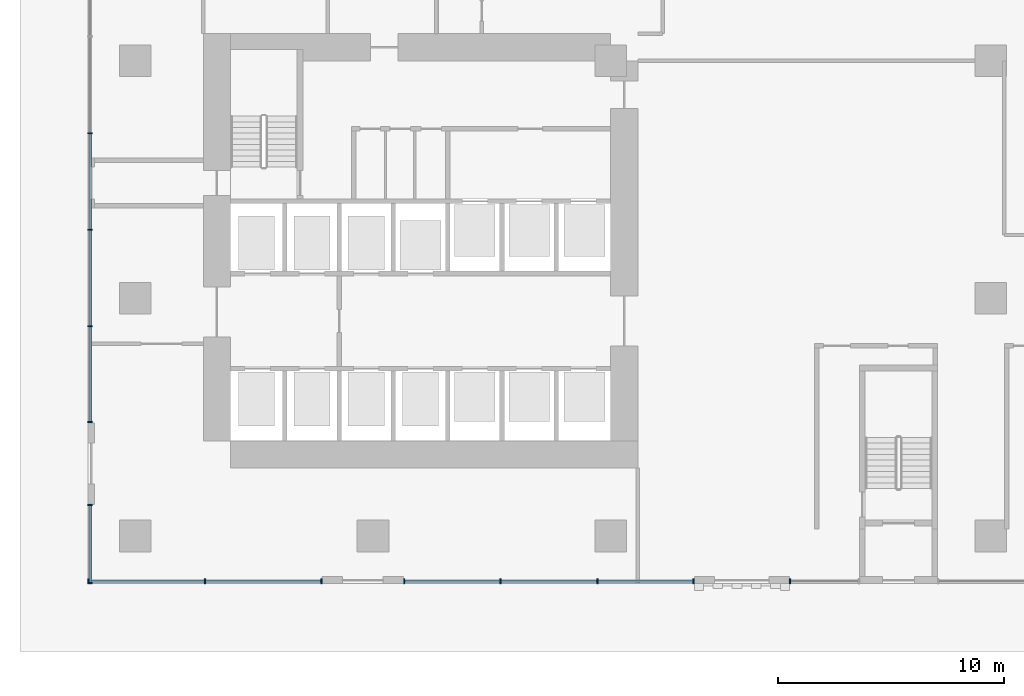
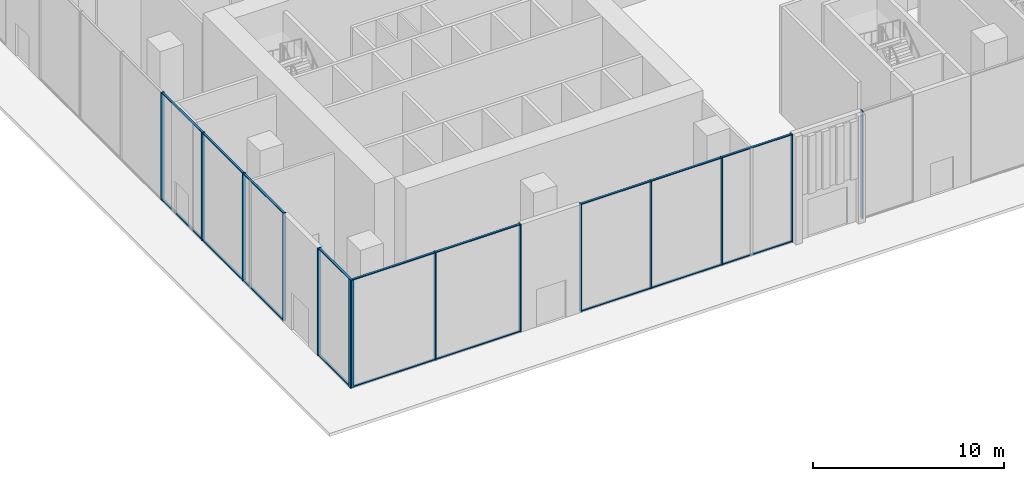
# One storey, part 2 of 26: 32 members, 5 elements without a shape of their own.
"""IFC4 building model written with IfcOpenShell, lengths in metres."""

from ifc_helpers import new_model, si_unit, direction, frame, origin, origin_2d, place, context, subcontext, project, spatial, rectangle, extrude, source, transform, mapped, material, layer, layer_set, material_profile, profile_set, type_object, element, aggregate, save


model = new_model("IFC4")

# Units and contexts
model_context = context("Model", 3, precision=1e-05, world=origin(), true_north=direction((0.0, 1.0)))
body_context = subcontext(model_context, "Body", "Model", "MODEL_VIEW")
ifc_project = project(units=[si_unit("LENGTHUNIT", "METRE"), si_unit("AREAUNIT", "SQUARE_METRE"), si_unit("VOLUMEUNIT", "CUBIC_METRE"), si_unit("PLANEANGLEUNIT", "RADIAN"), si_unit("MASSUNIT", "GRAM", prefix="KILO")], contexts=[model_context])

# Site, building, storey
site_placement = place(None, origin())
site = spatial("IfcSite", under=ifc_project, at=site_placement, CompositionType="ELEMENT")
building_placement = place(site_placement, origin())
building = spatial("IfcBuilding", under=site, at=building_placement, Name="Aurelian Terraces", CompositionType="ELEMENT")
storey_placement = place(building_placement, origin())
storey = spatial("IfcBuildingStorey", under=building, at=storey_placement, Name="L00", CompositionType="ELEMENT", Elevation=0.0)

# Curtain wall, members
ifc_material_1 = material(Name="Anodised aluminium and clear glazing", Category="aluminium")
ifc_layer = layer(ifc_material_1, 0.2)
ifc_layer_set = layer_set([ifc_layer], Name="Podium shopfront curtain wall")
curtain_wall_type = type_object("IfcCurtainWallType", Name="Podium shopfront curtain wall", PredefinedType="NOTDEFINED", material=ifc_layer_set)
curtain_wall_1_placement = place(storey_placement, origin())
curtain_wall_1 = element("IfcCurtainWall", 1, at=curtain_wall_1_placement, inside=storey, type_object=curtain_wall_type, Name="Podium shopfront L00 F01.1", PredefinedType="NOTDEFINED")
ifc_material_2 = material(Name="Anodised aluminium", Category="aluminium")
ifc_material_profile_1 = material_profile(ifc_material_2, rectangle(XDim=0.2, YDim=0.06, at=origin_2d()))
ifc_profile_set_1 = profile_set([ifc_material_profile_1], Name="Anodised aluminium")
member_type_1 = type_object("IfcMemberType", Name="Podium shopfront mullion", PredefinedType="MULLION", material=ifc_profile_set_1)
member_1_placement = place(storey_placement, frame((-2.07, -2.0, 0.0), z_axis=(0.0, 0.0, 1.0), x_axis=(0.0, 1.0, 0.0)))
member_1 = element("IfcMember", 2, at=member_1_placement, type_object=member_type_1, Name="CW1 mullion 1", PredefinedType="MULLION", context=body_context, shape_type="SweptSolid", body=[
    extrude(rectangle(XDim=0.2, YDim=0.06, at=origin_2d()), origin(), (0.0, 0.0, 1.0), 6.9),
])
ifc_material_profile_2 = material_profile(ifc_material_2, rectangle(XDim=0.12, YDim=0.06, at=origin_2d()))
ifc_profile_set_2 = profile_set([ifc_material_profile_2], Name="Anodised aluminium")
member_type_2 = type_object("IfcMemberType", Name="Podium shopfront transom", PredefinedType="USERDEFINED", material=ifc_profile_set_2)
member_2_placement = place(storey_placement, frame((-2.04, -2.0, 0.03), z_axis=(1.0, 0.0, 0.0), x_axis=(0.0, 1.0, 0.0)))
member_2 = element("IfcMember", 3, at=member_2_placement, type_object=member_type_2, Name="CW1 transom 1.1", ObjectType="TRANSOM", PredefinedType="USERDEFINED", context=body_context, shape_type="SweptSolid", body=[
    extrude(rectangle(XDim=0.12, YDim=0.06, at=origin_2d()), origin(), (0.0, 0.0, 1.0), 5.085),
])

curtain_wall_2_placement = place(storey_placement, origin())
curtain_wall_2 = element("IfcCurtainWall", 4, at=curtain_wall_2_placement, inside=storey, type_object=curtain_wall_type, Name="Podium shopfront L00 F01.3", PredefinedType="NOTDEFINED")
member_3_placement = place(storey_placement, frame((11.91, -2.0, 0.03), z_axis=(1.0, 0.0, 0.0), x_axis=(0.0, 1.0, 0.0)))
member_3 = element("IfcMember", 5, at=member_3_placement, type_object=member_type_2, Name="CW1 transom 1.1", ObjectType="TRANSOM", PredefinedType="USERDEFINED", context=body_context, shape_type="SweptSolid", body=[
    extrude(rectangle(XDim=0.12, YDim=0.06, at=origin_2d()), origin(), (0.0, 0.0, 1.0), 4.1933),
])
member_4_placement = place(storey_placement, frame((16.1633, -2.0, 0.03), z_axis=(1.0, 0.0, 0.0), x_axis=(0.0, 1.0, 0.0)))
member_4 = element("IfcMember", 6, at=member_4_placement, type_object=member_type_2, Name="CW1 transom 2.1", ObjectType="TRANSOM", PredefinedType="USERDEFINED", context=body_context, shape_type="SweptSolid", body=[
    extrude(rectangle(XDim=0.12, YDim=0.06, at=origin_2d()), origin(), (0.0, 0.0, 1.0), 4.2234),
])

# Member
shared_shape_1 = source(origin(), body_context, "Body", "SweptSolid", [
    extrude(rectangle(XDim=0.2, YDim=0.06, at=origin_2d()), origin(), (0.0, 0.0, 1.0), 6.9),
])
member_5_placement = place(storey_placement, frame((3.075, -2.0, 0.0), z_axis=(0.0, 0.0, 1.0), x_axis=(0.0, 1.0, 0.0)))
member_5 = element("IfcMember", 7, at=member_5_placement, type_object=member_type_1, Name="CW1 mullion 2", PredefinedType="MULLION", context=body_context, shape_type="MappedRepresentation", body=[
    mapped(shared_shape_1, transform((0.0, 0.0, 0.0), scale=1.0)),
])

member_6_placement = place(storey_placement, frame((8.22, -2.0, 0.0), z_axis=(0.0, 0.0, 1.0), x_axis=(0.0, 1.0, 0.0)))
member_6 = element("IfcMember", 8, at=member_6_placement, type_object=member_type_1, Name="CW1 mullion 3", PredefinedType="MULLION", context=body_context, shape_type="MappedRepresentation", body=[
    mapped(shared_shape_1, transform((0.0, 0.0, 0.0), scale=1.0)),
])

member_7_placement = place(storey_placement, frame((11.88, -2.0, 0.0), z_axis=(0.0, 0.0, 1.0), x_axis=(0.0, 1.0, 0.0)))
member_7 = element("IfcMember", 9, at=member_7_placement, type_object=member_type_1, Name="CW1 mullion 1", PredefinedType="MULLION", context=body_context, shape_type="MappedRepresentation", body=[
    mapped(shared_shape_1, transform((0.0, 0.0, 0.0), scale=1.0)),
])

member_8_placement = place(storey_placement, frame((16.1333, -2.0, 0.0), z_axis=(0.0, 0.0, 1.0), x_axis=(0.0, 1.0, 0.0)))
member_8 = element("IfcMember", 10, at=member_8_placement, type_object=member_type_1, Name="CW1 mullion 2", PredefinedType="MULLION", context=body_context, shape_type="MappedRepresentation", body=[
    mapped(shared_shape_1, transform((0.0, 0.0, 0.0), scale=1.0)),
])

member_9_placement = place(storey_placement, frame((20.4167, -2.0, 0.0), z_axis=(0.0, 0.0, 1.0), x_axis=(0.0, 1.0, 0.0)))
member_9 = element("IfcMember", 11, at=member_9_placement, type_object=member_type_1, Name="CW1 mullion 3", PredefinedType="MULLION", context=body_context, shape_type="MappedRepresentation", body=[
    mapped(shared_shape_1, transform((0.0, 0.0, 0.0), scale=1.0)),
])

member_10_placement = place(storey_placement, frame((24.67, -2.0, 0.0), z_axis=(0.0, 0.0, 1.0), x_axis=(0.0, 1.0, 0.0)))
member_10 = element("IfcMember", 12, at=member_10_placement, type_object=member_type_1, Name="CW1 mullion 4", PredefinedType="MULLION", context=body_context, shape_type="MappedRepresentation", body=[
    mapped(shared_shape_1, transform((0.0, 0.0, 0.0), scale=1.0)),
])

# Curtain wall, member
curtain_wall_3_placement = place(storey_placement, origin())
curtain_wall_3 = element("IfcCurtainWall", 13, at=curtain_wall_3_placement, inside=storey, type_object=curtain_wall_type, Name="Podium shopfront L00 F01.5", PredefinedType="NOTDEFINED")
member_11_placement = place(storey_placement, frame((28.93, -2.0, 0.0), z_axis=(0.0, 0.0, 1.0), x_axis=(0.0, 1.0, 0.0)))
member_11 = element("IfcMember", 14, at=member_11_placement, type_object=member_type_1, Name="CW1 mullion 1", PredefinedType="MULLION", context=body_context, shape_type="MappedRepresentation", body=[
    mapped(shared_shape_1, transform((0.0, 0.0, 0.0), scale=1.0)),
])
aggregate(curtain_wall_3, [member_11])

# Curtain wall, members
curtain_wall_4_placement = place(storey_placement, origin())
curtain_wall_4 = element("IfcCurtainWall", 15, at=curtain_wall_4_placement, inside=storey, type_object=curtain_wall_type, Name="Podium shopfront L00 F06.8", PredefinedType="NOTDEFINED")
member_12_placement = place(storey_placement, frame((-2.0, 17.8, 0.0), z_axis=(0.0, 0.0, 1.0), x_axis=(1.0, 0.0, 0.0)))
member_12 = element("IfcMember", 16, at=member_12_placement, type_object=member_type_1, Name="CW1 mullion 4", PredefinedType="MULLION", context=body_context, shape_type="MappedRepresentation", body=[
    mapped(shared_shape_1, transform((0.0, 0.0, 0.0), scale=1.0)),
])
member_13_placement = place(storey_placement, frame((-2.0, 13.5333, 0.0), z_axis=(0.0, 0.0, 1.0), x_axis=(1.0, 0.0, 0.0)))
member_13 = element("IfcMember", 17, at=member_13_placement, type_object=member_type_1, Name="CW1 mullion 5", PredefinedType="MULLION", context=body_context, shape_type="MappedRepresentation", body=[
    mapped(shared_shape_1, transform((0.0, 0.0, 0.0), scale=1.0)),
])
member_14_placement = place(storey_placement, frame((-2.0, 9.2667, 0.0), z_axis=(0.0, 0.0, 1.0), x_axis=(1.0, 0.0, 0.0)))
member_14 = element("IfcMember", 18, at=member_14_placement, type_object=member_type_1, Name="CW1 mullion 6", PredefinedType="MULLION", context=body_context, shape_type="MappedRepresentation", body=[
    mapped(shared_shape_1, transform((0.0, 0.0, 0.0), scale=1.0)),
])
member_15_placement = place(storey_placement, frame((-2.0, 5.03, 0.0), z_axis=(0.0, 0.0, 1.0), x_axis=(1.0, 0.0, 0.0)))
member_15 = element("IfcMember", 19, at=member_15_placement, type_object=member_type_1, Name="CW1 mullion 7", PredefinedType="MULLION", context=body_context, shape_type="MappedRepresentation", body=[
    mapped(shared_shape_1, transform((0.0, 0.0, 0.0), scale=1.0)),
])

curtain_wall_5_placement = place(storey_placement, origin())
curtain_wall_5 = element("IfcCurtainWall", 20, at=curtain_wall_5_placement, inside=storey, type_object=curtain_wall_type, Name="Podium shopfront L00 F06.10", PredefinedType="NOTDEFINED")
member_16_placement = place(storey_placement, frame((-2.0, 1.37, 0.0), z_axis=(0.0, 0.0, 1.0), x_axis=(1.0, 0.0, 0.0)))
member_16 = element("IfcMember", 21, at=member_16_placement, type_object=member_type_1, Name="CW1 mullion 1", PredefinedType="MULLION", context=body_context, shape_type="MappedRepresentation", body=[
    mapped(shared_shape_1, transform((0.0, 0.0, 0.0), scale=1.0)),
])
member_17_placement = place(storey_placement, frame((-2.0, -2.07, 0.0), z_axis=(0.0, 0.0, 1.0), x_axis=(1.0, 0.0, 0.0)))
member_17 = element("IfcMember", 22, at=member_17_placement, type_object=member_type_1, Name="CW1 mullion 2", PredefinedType="MULLION", context=body_context, shape_type="MappedRepresentation", body=[
    mapped(shared_shape_1, transform((0.0, 0.0, 0.0), scale=1.0)),
])

# Member
shared_shape_2 = source(origin(), body_context, "Body", "SweptSolid", [
    extrude(rectangle(XDim=0.12, YDim=0.06, at=origin_2d()), origin(), (0.0, 0.0, 1.0), 5.085),
])
member_18_placement = place(storey_placement, frame((-2.04, -2.0, 6.87), z_axis=(1.0, 0.0, 0.0), x_axis=(0.0, 1.0, 0.0)))
member_18 = element("IfcMember", 23, at=member_18_placement, type_object=member_type_2, Name="CW1 transom 1.2", ObjectType="TRANSOM", PredefinedType="USERDEFINED", context=body_context, shape_type="MappedRepresentation", body=[
    mapped(shared_shape_2, transform((0.0, 0.0, 0.0), scale=1.0)),
])

member_19_placement = place(storey_placement, frame((3.105, -2.0, 0.03), z_axis=(1.0, 0.0, 0.0), x_axis=(0.0, 1.0, 0.0)))
member_19 = element("IfcMember", 24, at=member_19_placement, type_object=member_type_2, Name="CW1 transom 2.1", ObjectType="TRANSOM", PredefinedType="USERDEFINED", context=body_context, shape_type="MappedRepresentation", body=[
    mapped(shared_shape_2, transform((0.0, 0.0, 0.0), scale=1.0)),
])

member_20_placement = place(storey_placement, frame((3.105, -2.0, 6.87), z_axis=(1.0, 0.0, 0.0), x_axis=(0.0, 1.0, 0.0)))
member_20 = element("IfcMember", 25, at=member_20_placement, type_object=member_type_2, Name="CW1 transom 2.2", ObjectType="TRANSOM", PredefinedType="USERDEFINED", context=body_context, shape_type="MappedRepresentation", body=[
    mapped(shared_shape_2, transform((0.0, 0.0, 0.0), scale=1.0)),
])

aggregate(curtain_wall_1, [member_1, member_5, member_6, member_2, member_18, member_19, member_20])

shared_shape_3 = source(origin(), body_context, "Body", "SweptSolid", [
    extrude(rectangle(XDim=0.12, YDim=0.06, at=origin_2d()), origin(), (0.0, 0.0, 1.0), 4.1933),
])
member_21_placement = place(storey_placement, frame((11.91, -2.0, 6.87), z_axis=(1.0, 0.0, 0.0), x_axis=(0.0, 1.0, 0.0)))
member_21 = element("IfcMember", 26, at=member_21_placement, type_object=member_type_2, Name="CW1 transom 1.2", ObjectType="TRANSOM", PredefinedType="USERDEFINED", context=body_context, shape_type="MappedRepresentation", body=[
    mapped(shared_shape_3, transform((0.0, 0.0, 0.0), scale=1.0)),
])

member_22_placement = place(storey_placement, frame((20.4467, -2.0, 0.03), z_axis=(1.0, 0.0, 0.0), x_axis=(0.0, 1.0, 0.0)))
member_22 = element("IfcMember", 27, at=member_22_placement, type_object=member_type_2, Name="CW1 transom 3.1", ObjectType="TRANSOM", PredefinedType="USERDEFINED", context=body_context, shape_type="MappedRepresentation", body=[
    mapped(shared_shape_3, transform((0.0, 0.0, 0.0), scale=1.0)),
])

member_23_placement = place(storey_placement, frame((20.4467, -2.0, 6.87), z_axis=(1.0, 0.0, 0.0), x_axis=(0.0, 1.0, 0.0)))
member_23 = element("IfcMember", 28, at=member_23_placement, type_object=member_type_2, Name="CW1 transom 3.2", ObjectType="TRANSOM", PredefinedType="USERDEFINED", context=body_context, shape_type="MappedRepresentation", body=[
    mapped(shared_shape_3, transform((0.0, 0.0, 0.0), scale=1.0)),
])

shared_shape_4 = source(origin(), body_context, "Body", "SweptSolid", [
    extrude(rectangle(XDim=0.12, YDim=0.06, at=origin_2d()), origin(), (0.0, 0.0, 1.0), 4.2234),
])
member_24_placement = place(storey_placement, frame((16.1633, -2.0, 6.87), z_axis=(1.0, 0.0, 0.0), x_axis=(0.0, 1.0, 0.0)))
member_24 = element("IfcMember", 29, at=member_24_placement, type_object=member_type_2, Name="CW1 transom 2.2", ObjectType="TRANSOM", PredefinedType="USERDEFINED", context=body_context, shape_type="MappedRepresentation", body=[
    mapped(shared_shape_4, transform((0.0, 0.0, 0.0), scale=1.0)),
])

aggregate(curtain_wall_2, [member_7, member_8, member_9, member_10, member_3, member_21, member_4, member_24, member_22, member_23])

shared_shape_5 = source(origin(), body_context, "Body", "SweptSolid", [
    extrude(rectangle(XDim=0.12, YDim=0.06, at=origin_2d()), origin(), (0.0, 0.0, 1.0), 3.38),
])
member_25_placement = place(storey_placement, frame((-2.0, 1.34, 0.03), z_axis=(0.0, -1.0, 0.0), x_axis=(1.0, 0.0, 0.0)))
member_25 = element("IfcMember", 30, at=member_25_placement, type_object=member_type_2, Name="CW1 transom 1.1", ObjectType="TRANSOM", PredefinedType="USERDEFINED", context=body_context, shape_type="MappedRepresentation", body=[
    mapped(shared_shape_5, transform((0.0, 0.0, 0.0), scale=1.0)),
])

member_26_placement = place(storey_placement, frame((-2.0, 1.34, 6.87), z_axis=(0.0, -1.0, 0.0), x_axis=(1.0, 0.0, 0.0)))
member_26 = element("IfcMember", 31, at=member_26_placement, type_object=member_type_2, Name="CW1 transom 1.2", ObjectType="TRANSOM", PredefinedType="USERDEFINED", context=body_context, shape_type="MappedRepresentation", body=[
    mapped(shared_shape_5, transform((0.0, 0.0, 0.0), scale=1.0)),
])

aggregate(curtain_wall_5, [member_16, member_17, member_25, member_26])

shared_shape_6 = source(origin(), body_context, "Body", "SweptSolid", [
    extrude(rectangle(XDim=0.12, YDim=0.06, at=origin_2d()), origin(), (0.0, 0.0, 1.0), 4.1767),
])
member_27_placement = place(storey_placement, frame((-2.0, 9.2367, 0.03), z_axis=(0.0, -1.0, 0.0), x_axis=(1.0, 0.0, 0.0)))
member_27 = element("IfcMember", 32, at=member_27_placement, type_object=member_type_2, Name="CW1 transom 6.1", ObjectType="TRANSOM", PredefinedType="USERDEFINED", context=body_context, shape_type="MappedRepresentation", body=[
    mapped(shared_shape_6, transform((0.0, 0.0, 0.0), scale=1.0)),
])

member_28_placement = place(storey_placement, frame((-2.0, 9.2367, 6.87), z_axis=(0.0, -1.0, 0.0), x_axis=(1.0, 0.0, 0.0)))
member_28 = element("IfcMember", 33, at=member_28_placement, type_object=member_type_2, Name="CW1 transom 6.2", ObjectType="TRANSOM", PredefinedType="USERDEFINED", context=body_context, shape_type="MappedRepresentation", body=[
    mapped(shared_shape_6, transform((0.0, 0.0, 0.0), scale=1.0)),
])

shared_shape_7 = source(origin(), body_context, "Body", "SweptSolid", [
    extrude(rectangle(XDim=0.12, YDim=0.06, at=origin_2d()), origin(), (0.0, 0.0, 1.0), 4.2066),
])
member_29_placement = place(storey_placement, frame((-2.0, 13.5033, 0.03), z_axis=(0.0, -1.0, 0.0), x_axis=(1.0, 0.0, 0.0)))
member_29 = element("IfcMember", 34, at=member_29_placement, type_object=member_type_2, Name="CW1 transom 5.1", ObjectType="TRANSOM", PredefinedType="USERDEFINED", context=body_context, shape_type="MappedRepresentation", body=[
    mapped(shared_shape_7, transform((0.0, 0.0, 0.0), scale=1.0)),
])

member_30_placement = place(storey_placement, frame((-2.0, 13.5033, 6.87), z_axis=(0.0, -1.0, 0.0), x_axis=(1.0, 0.0, 0.0)))
member_30 = element("IfcMember", 35, at=member_30_placement, type_object=member_type_2, Name="CW1 transom 5.2", ObjectType="TRANSOM", PredefinedType="USERDEFINED", context=body_context, shape_type="MappedRepresentation", body=[
    mapped(shared_shape_7, transform((0.0, 0.0, 0.0), scale=1.0)),
])

shared_shape_8 = source(origin(), body_context, "Body", "SweptSolid", [
    extrude(rectangle(XDim=0.12, YDim=0.06, at=origin_2d()), origin(), (0.0, 0.0, 1.0), 4.2067),
])
member_31_placement = place(storey_placement, frame((-2.0, 17.77, 0.03), z_axis=(0.0, -1.0, 0.0), x_axis=(1.0, 0.0, 0.0)))
member_31 = element("IfcMember", 36, at=member_31_placement, type_object=member_type_2, Name="CW1 transom 4.1", ObjectType="TRANSOM", PredefinedType="USERDEFINED", context=body_context, shape_type="MappedRepresentation", body=[
    mapped(shared_shape_8, transform((0.0, 0.0, 0.0), scale=1.0)),
])

member_32_placement = place(storey_placement, frame((-2.0, 17.77, 6.87), z_axis=(0.0, -1.0, 0.0), x_axis=(1.0, 0.0, 0.0)))
member_32 = element("IfcMember", 37, at=member_32_placement, type_object=member_type_2, Name="CW1 transom 4.2", ObjectType="TRANSOM", PredefinedType="USERDEFINED", context=body_context, shape_type="MappedRepresentation", body=[
    mapped(shared_shape_8, transform((0.0, 0.0, 0.0), scale=1.0)),
])

aggregate(curtain_wall_4, [member_12, member_13, member_14, member_15, member_31, member_32, member_29, member_30, member_27, member_28])

save(model, "model.ifc")
